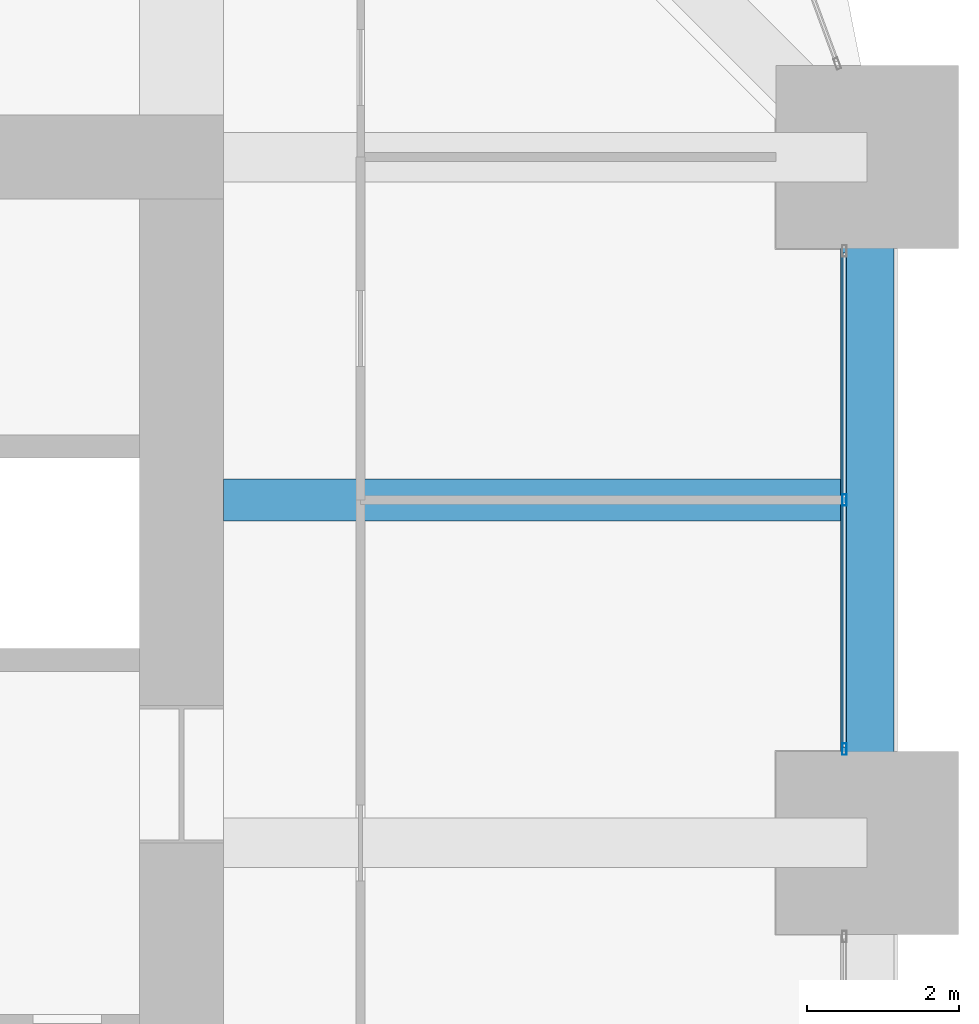
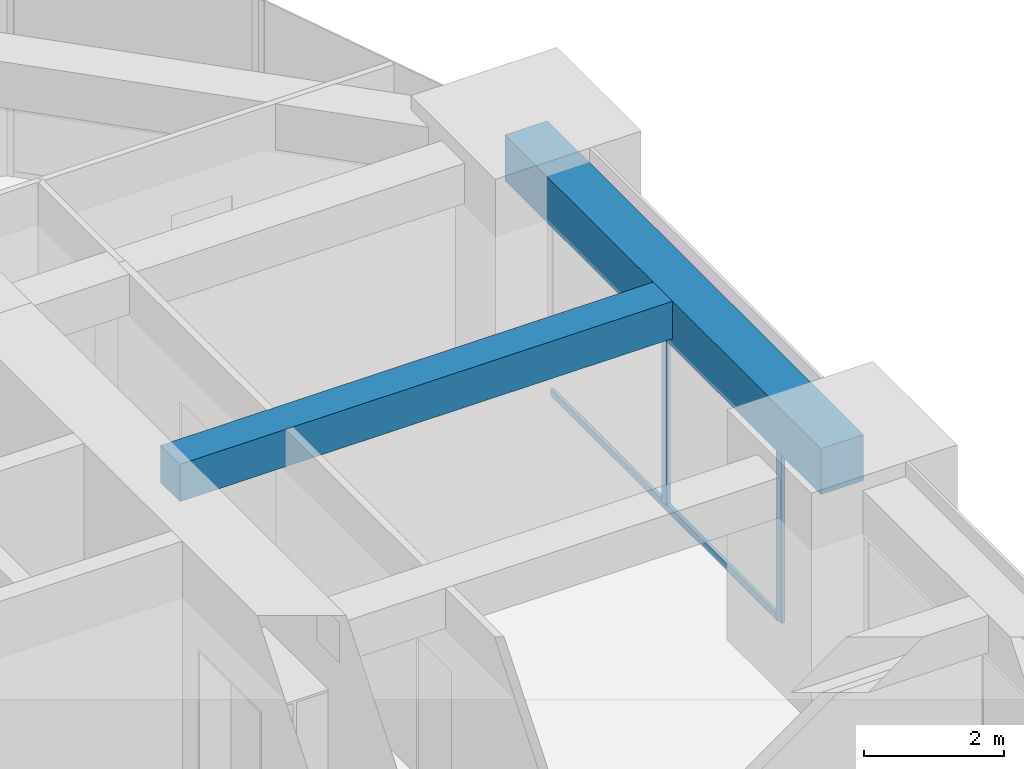
# One storey, part 19 of 34: 3 members, 2 beams, 1 element without a shape of its own.
"""IFC4 building model written with IfcOpenShell, lengths in metres."""

from ifc_helpers import new_model, si_unit, direction, frame, origin, origin_2d, place, context, subcontext, project, spatial, rectangle, hollow_rectangle, extrude, material, material_profile, profile_set, type_object, element, aggregate, save


model = new_model("IFC4")

# Units and contexts
model_context = context("Model", 3, precision=1e-05, world=origin(), true_north=direction((0.0, 1.0)))
body_context = subcontext(model_context, "Body", "Model", "MODEL_VIEW")
ifc_project = project(units=[si_unit("LENGTHUNIT", "METRE"), si_unit("AREAUNIT", "SQUARE_METRE"), si_unit("VOLUMEUNIT", "CUBIC_METRE"), si_unit("PLANEANGLEUNIT", "RADIAN"), si_unit("MASSUNIT", "GRAM", prefix="KILO")], contexts=[model_context])

# Site, building, storey
site_placement = place(None, origin())
site = spatial("IfcSite", under=ifc_project, at=site_placement, CompositionType="ELEMENT")
building_placement = place(site_placement, origin())
building = spatial("IfcBuilding", under=site, at=building_placement, Name="Zorevar Civic Tower", CompositionType="ELEMENT")
storey_placement = place(building_placement, frame((0.0, 0.0, 174.199951171875)))
storey = spatial("IfcBuildingStorey", under=building, at=storey_placement, Name="L42", CompositionType="ELEMENT", Elevation=174.199951171875)

# Beam
ifc_material_1 = material(Name="Concrete C50/60", Category="concrete")
ifc_material_profile_1 = material_profile(ifc_material_1, rectangle(XDim=0.550048828125, YDim=0.64990234375, at=origin_2d()), Name="RC 550x650")
ifc_profile_set_1 = profile_set([ifc_material_profile_1], Name="Concrete C50/60")
beam_type_1 = type_object("IfcBeamType", Name="Beam RC 550x650", PredefinedType="BEAM", material=ifc_profile_set_1)
beam_1_placement = place(storey_placement, frame((45.550048828125, 31.5, 3.425048828125), z_axis=(1.0, 0.0, 0.0), x_axis=(0.0, 1.0, 0.0)))
element("IfcBeam", 1, at=beam_1_placement, inside=storey, type_object=beam_type_1, Name="Secondary beam L43", PredefinedType="BEAM", context=body_context, shape_type="SweptSolid", body=[
    extrude(rectangle(XDim=0.550048828125, YDim=0.64990234375, at=origin_2d()), origin(), (0.0, 0.0, 1.0), 8.099853515625),
])

# Curtain wall, members
ifc_material_2 = material(Name="Dark grey solar-control glass in black aluminium frame", Category="aluminium")
curtain_wall_type = type_object("IfcCurtainWallType", Name="Curtain wall CW4 high zone", PredefinedType="NOTDEFINED", material=ifc_material_2)
curtain_wall_placement = place(storey_placement, origin())
curtain_wall = element("IfcCurtainWall", 2, at=curtain_wall_placement, inside=storey, type_object=curtain_wall_type, Name="CW4 L42", PredefinedType="NOTDEFINED")
ifc_material_3 = material(Name="Aluminium, black anodised", Category="aluminium")
ifc_material_profile_2 = material_profile(ifc_material_3, hollow_rectangle(XDim=0.06005859375, YDim=0.14990234375, WallThickness=0.00390625, at=origin_2d()), Name="AL 150x60x4")
ifc_profile_set_2 = profile_set([ifc_material_profile_2], Name="Aluminium, black anodised")
member_type_1 = type_object("IfcMemberType", Name="CW4 mullion AL 150x60x4", PredefinedType="MULLION", material=ifc_profile_set_2)
member_1_placement = place(storey_placement, frame((53.699951171875, 28.22998046875, 0.0), z_axis=(0.0, 0.0, 1.0), x_axis=(-1.0, 0.0, 0.0)))
member_1 = element("IfcMember", 3, at=member_1_placement, type_object=member_type_1, Name="CW4 mullion 1", PredefinedType="MULLION", context=body_context, shape_type="SweptSolid", body=[
    extrude(hollow_rectangle(XDim=0.06005859375, YDim=0.14990234375, WallThickness=0.00390625, at=origin_2d()), origin(), (0.0, 0.0, 1.0), 2.949951171875),
])
member_2_placement = place(storey_placement, frame((53.699951171875, 31.5, 0.06005859375), z_axis=(0.0, 0.0, 1.0), x_axis=(-1.0, 0.0, 0.0)))
member_2 = element("IfcMember", 4, at=member_2_placement, type_object=member_type_1, Name="CW4 mullion 2", PredefinedType="MULLION", context=body_context, shape_type="SweptSolid", body=[
    extrude(hollow_rectangle(XDim=0.06005859375, YDim=0.14990234375, WallThickness=0.00390625, at=origin_2d()), origin(), (0.0, 0.0, 1.0), 2.889892578125),
])
ifc_material_4 = material(Name="Aluminium, black anodised", Category="aluminium")
ifc_material_profile_3 = material_profile(ifc_material_4, hollow_rectangle(XDim=0.06005859375, YDim=0.1201171875, WallThickness=0.0029296875, at=origin_2d()), Name="AL 120x60x3")
ifc_profile_set_3 = profile_set([ifc_material_profile_3], Name="Aluminium, black anodised")
member_type_2 = type_object("IfcMemberType", Name="CW4 transom AL 120x60x3", PredefinedType="USERDEFINED", material=ifc_profile_set_3)
member_3_placement = place(storey_placement, frame((53.699951171875, 28.260009765625, 0.030029296875), z_axis=(0.0, 1.0, 0.0), x_axis=(-1.0, 0.0, 0.0)))
member_3 = element("IfcMember", 5, at=member_3_placement, type_object=member_type_2, Name="CW4 sill transom", ObjectType="TRANSOM", PredefinedType="USERDEFINED", context=body_context, shape_type="SweptSolid", body=[
    extrude(hollow_rectangle(XDim=0.06005859375, YDim=0.1201171875, WallThickness=0.0029296875, at=origin_2d()), origin(), (0.0, 0.0, 1.0), 6.47998046875),
])
aggregate(curtain_wall, [member_1, member_2, member_3])

# Beam
ifc_material_5 = material(Name="Concrete C50/60", Category="concrete")
ifc_material_profile_4 = material_profile(ifc_material_5, rectangle(XDim=0.699951171875, YDim=0.800048828125, at=origin_2d()), Name="RC 700x800")
ifc_profile_set_4 = profile_set([ifc_material_profile_4], Name="Concrete C50/60")
beam_type_2 = type_object("IfcBeamType", Name="Edge beam RC 700x800", PredefinedType="SPANDREL", material=ifc_profile_set_4)
beam_2_placement = place(storey_placement, frame((54.0, 27.0, 3.35009765625), z_axis=(0.0, 1.0, 0.0), x_axis=(-1.0, 0.0, 0.0)))
element("IfcBeam", 6, at=beam_2_placement, inside=storey, type_object=beam_type_2, Name="Edge beam L43", PredefinedType="SPANDREL", context=body_context, shape_type="SweptSolid", body=[
    extrude(rectangle(XDim=0.699951171875, YDim=0.800048828125, at=origin_2d()), origin(), (0.0, 0.0, 1.0), 9.0),
])

save(model, "model.ifc")
